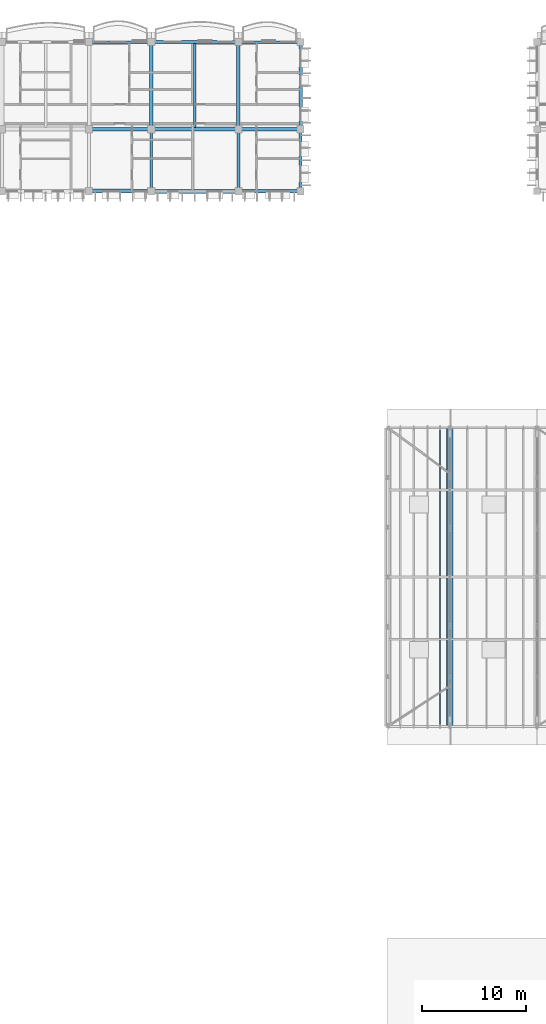
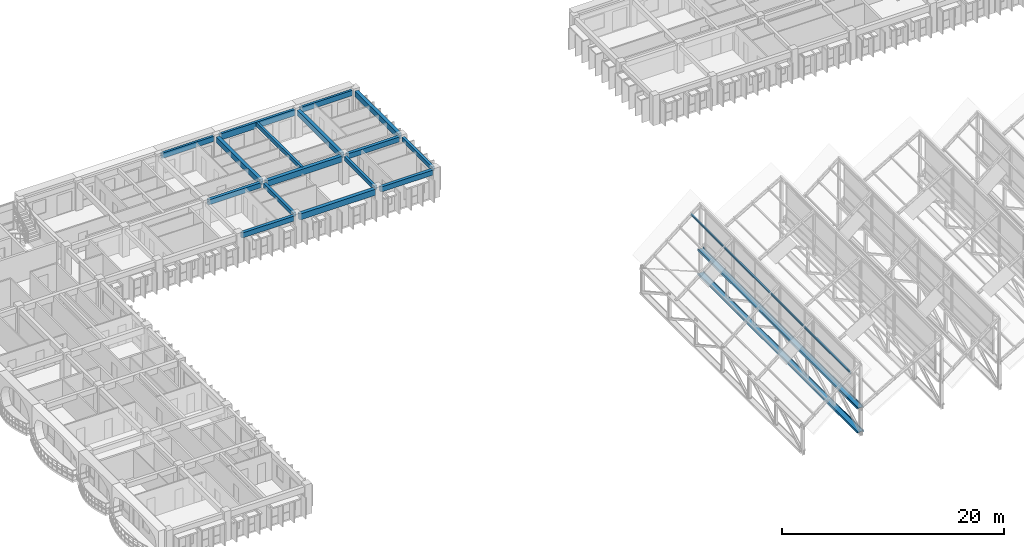
# One storey, part 23 of 101: 16 beams, 3 members.
"""IFC4 building model written with IfcOpenShell, lengths in metres."""

from ifc_helpers import new_model, si_unit, direction, frame, origin, origin_2d, place, context, subcontext, project, spatial, rectangle, i_section, extrude, material, material_profile, profile_set, type_object, element, save


model = new_model("IFC4")

# Units and contexts
model_context = context("Model", 3, precision=1e-05, world=origin(), true_north=direction((0.0, 1.0)))
body_context = subcontext(model_context, "Body", "Model", "MODEL_VIEW")
ifc_project = project(units=[si_unit("LENGTHUNIT", "METRE"), si_unit("AREAUNIT", "SQUARE_METRE"), si_unit("VOLUMEUNIT", "CUBIC_METRE"), si_unit("PLANEANGLEUNIT", "RADIAN"), si_unit("MASSUNIT", "GRAM", prefix="KILO"), si_unit("THERMODYNAMICTEMPERATUREUNIT", "KELVIN")], contexts=[model_context])

# Site, building, storey
site_placement = place(None, origin())
site = spatial("IfcSite", under=ifc_project, at=site_placement, CompositionType="ELEMENT")
building_placement = place(site_placement, origin())
building = spatial("IfcBuilding", under=site, at=building_placement, Name="Thalorik Housing Commons", CompositionType="ELEMENT")
storey_placement = place(building_placement, frame((0.0, 0.0, 8.10009765625)))
storey = spatial("IfcBuildingStorey", under=building, at=storey_placement, Name="L02", CompositionType="ELEMENT", Elevation=8.10009765625)

# Beams
ifc_material_1 = material(Name="Precast concrete C40/50", Category="concrete")
ifc_material_profile_1 = material_profile(ifc_material_1, rectangle(XDim=0.280029296875, YDim=0.449951171875, at=origin_2d()), Name="PC 280x450", Category="concrete")
ifc_profile_set_1 = profile_set([ifc_material_profile_1], Name="Precast concrete C40/50")
beam_type_1 = type_object("IfcBeamType", Name="STR-BM-PC280x450", PredefinedType="BEAM", material=ifc_profile_set_1)
for number, where, z_axis, x_axis, name in (
    (1, (43.199951171875, 109.5, 2.81494140625), (0.0, 1.0, 0.0), (-1.0, 0.0, 0.0), "L02 Beam B-450"),
    (2, (51.60009765625, 109.5, 2.81494140625), (0.0, 1.0, 0.0), (-1.0, 0.0, 0.0), "L02 Beam B-450"),
    (3, (57.60009765625, 109.5, 2.81494140625), (0.0, 1.0, 0.0), (-1.0, 0.0, 0.0), "L02 Beam B-450"),
):
    element("IfcBeam", number, at=place(storey_placement, frame(where, z_axis=z_axis, x_axis=x_axis)), inside=storey, type_object=beam_type_1, Name=name, PredefinedType="BEAM", context=body_context, shape_type="SweptSolid", body=[
        extrude(rectangle(XDim=0.280029296875, YDim=0.449951171875, at=origin_2d()), origin(), (0.0, 0.0, 1.0), 5.39990234375),
    ])
ifc_material_profile_2 = material_profile(ifc_material_1, rectangle(XDim=0.320068359375, YDim=0.550048828125, at=origin_2d()), Name="PC 320x550", Category="concrete")
ifc_profile_set_2 = profile_set([ifc_material_profile_2], Name="Precast concrete C40/50")
beam_type_2 = type_object("IfcBeamType", Name="STR-BM-PC320x550", PredefinedType="BEAM", material=ifc_profile_set_2)
beam_1_placement = place(storey_placement, frame((37.5, 109.199951171875, 2.764892578125), z_axis=(1.0, 0.0, 0.0), x_axis=(0.0, 1.0, 0.0)))
element("IfcBeam", 4, at=beam_1_placement, inside=storey, type_object=beam_type_2, Name="L02 Beam B-550", PredefinedType="BEAM", context=body_context, shape_type="SweptSolid", body=[
    extrude(rectangle(XDim=0.320068359375, YDim=0.550048828125, at=origin_2d()), origin(), (0.0, 0.0, 1.0), 5.39990234375),
])
beam_2_placement = place(storey_placement, frame((51.89990234375, 109.199951171875, 2.764892578125), z_axis=(1.0, 0.0, 0.0), x_axis=(0.0, 1.0, 0.0)))
element("IfcBeam", 5, at=beam_2_placement, inside=storey, type_object=beam_type_2, Name="L02 Beam B-550", PredefinedType="BEAM", context=body_context, shape_type="SweptSolid", body=[
    extrude(rectangle(XDim=0.320068359375, YDim=0.550048828125, at=origin_2d()), origin(), (0.0, 0.0, 1.0), 5.400146484375),
])
beam_3_placement = place(storey_placement, frame((37.5, 115.199951171875, 2.764892578125), z_axis=(1.0, 0.0, 0.0), x_axis=(0.0, 1.0, 0.0)))
element("IfcBeam", 6, at=beam_3_placement, inside=storey, type_object=beam_type_2, Name="L02 Beam B-550", PredefinedType="BEAM", context=body_context, shape_type="SweptSolid", body=[
    extrude(rectangle(XDim=0.320068359375, YDim=0.550048828125, at=origin_2d()), origin(), (0.0, 0.0, 1.0), 5.39990234375),
])
beam_4_placement = place(storey_placement, frame((51.89990234375, 115.199951171875, 2.764892578125), z_axis=(1.0, 0.0, 0.0), x_axis=(0.0, 1.0, 0.0)))
element("IfcBeam", 7, at=beam_4_placement, inside=storey, type_object=beam_type_2, Name="L02 Beam B-550", PredefinedType="BEAM", context=body_context, shape_type="SweptSolid", body=[
    extrude(rectangle(XDim=0.320068359375, YDim=0.550048828125, at=origin_2d()), origin(), (0.0, 0.0, 1.0), 5.400146484375),
])
ifc_material_profile_3 = material_profile(ifc_material_1, rectangle(XDim=0.35009765625, YDim=0.60009765625, at=origin_2d()), Name="PC 350x600", Category="concrete")
ifc_profile_set_3 = profile_set([ifc_material_profile_3], Name="Precast concrete C40/50")
beam_type_3 = type_object("IfcBeamType", Name="STR-BM-PC350x600", PredefinedType="BEAM", material=ifc_profile_set_3)
for number, where, z_axis, x_axis, name in (
    (8, (43.199951171875, 115.5, 2.739990234375), (0.0, 1.0, 0.0), (-1.0, 0.0, 0.0), "L02 Beam B-600"),
    (9, (51.60009765625, 115.5, 2.739990234375), (0.0, 1.0, 0.0), (-1.0, 0.0, 0.0), "L02 Beam B-600"),
    (10, (57.60009765625, 115.5, 2.739990234375), (0.0, 1.0, 0.0), (-1.0, 0.0, 0.0), "L02 Beam B-600"),
):
    element("IfcBeam", number, at=place(storey_placement, frame(where, z_axis=z_axis, x_axis=x_axis)), inside=storey, type_object=beam_type_3, Name=name, PredefinedType="BEAM", context=body_context, shape_type="SweptSolid", body=[
        extrude(rectangle(XDim=0.35009765625, YDim=0.60009765625, at=origin_2d()), origin(), (0.0, 0.0, 1.0), 7.800048828125),
    ])
ifc_material_profile_4 = material_profile(ifc_material_1, rectangle(XDim=0.3798828125, YDim=0.64990234375, at=origin_2d()), Name="PC 380x650", Category="concrete")
ifc_profile_set_4 = profile_set([ifc_material_profile_4], Name="Precast concrete C40/50")
beam_type_4 = type_object("IfcBeamType", Name="STR-BM-PC380x650", PredefinedType="BEAM", material=ifc_profile_set_4)
for number, where, z_axis, x_axis, name in (
    (11, (43.5, 109.199951171875, 2.71484375), (1.0, 0.0, 0.0), (0.0, 1.0, 0.0), "L02 Beam B-650"),
    (12, (43.5, 115.199951171875, 2.71484375), (1.0, 0.0, 0.0), (0.0, 1.0, 0.0), "L02 Beam B-650"),
):
    element("IfcBeam", number, at=place(storey_placement, frame(where, z_axis=z_axis, x_axis=x_axis)), inside=storey, type_object=beam_type_4, Name=name, PredefinedType="BEAM", context=body_context, shape_type="SweptSolid", body=[
        extrude(rectangle(XDim=0.3798828125, YDim=0.64990234375, at=origin_2d()), origin(), (0.0, 0.0, 1.0), 7.800048828125),
    ])
ifc_material_profile_5 = material_profile(ifc_material_1, rectangle(XDim=0.239990234375, YDim=0.43994140625, at=origin_2d()), Name="PC JST 240x440", Category="concrete")
ifc_profile_set_5 = profile_set([ifc_material_profile_5], Name="Precast concrete C40/50")
beam_type_5 = type_object("IfcBeamType", Name="STR-JST-PC240x440", PredefinedType="JOIST", material=ifc_profile_set_5)
beam_5_placement = place(storey_placement, frame((47.39990234375, 115.340087890625, 2.81982421875), z_axis=(0.0, 1.0, 0.0), x_axis=(-1.0, 0.0, 0.0)))
element("IfcBeam", 13, at=beam_5_placement, inside=storey, type_object=beam_type_5, Name="L02 Beam J-440", PredefinedType="JOIST", context=body_context, shape_type="SweptSolid", body=[
    extrude(rectangle(XDim=0.239990234375, YDim=0.43994140625, at=origin_2d()), origin(), (0.0, 0.0, 1.0), 8.119873046875),
])

# Members
ifc_material_2 = material(Name="Steel S355", Category="steel")
ifc_material_profile_6 = material_profile(ifc_material_2, i_section(OverallWidth=0.22998046875, OverallDepth=0.616943359375, WebThickness=0.01318359375, FlangeThickness=0.022216796875, FilletRadius=0.012939453125, at=origin_2d()), Name="W610x140", Category="steel")
ifc_profile_set_6 = profile_set([ifc_material_profile_6], Name="Steel S355")
member_type_1 = type_object("IfcMemberType", Name="STR-MEM-CHORD-BOT", PredefinedType="CHORD", material=ifc_profile_set_6)
member_1_placement = place(storey_placement, frame((72.0, 57.60009765625, 0.349853515625), z_axis=(0.0, 1.0, 0.0), x_axis=(0.0, 0.0, 1.0)))
element("IfcMember", 14, at=member_1_placement, inside=storey, type_object=member_type_1, Name="L02 Sawtooth Truss 2 Bottom Chord", PredefinedType="CHORD", context=body_context, shape_type="SweptSolid", body=[
    extrude(i_section(OverallWidth=0.22998046875, OverallDepth=0.616943359375, WebThickness=0.01318359375, FlangeThickness=0.022216796875, FilletRadius=0.012939453125, at=origin_2d()), origin(), (0.0, 0.0, 1.0), 28.7998046875),
])
ifc_material_profile_7 = material_profile(ifc_material_2, i_section(OverallWidth=0.22802734375, OverallDepth=0.60791015625, WebThickness=0.01123046875, FlangeThickness=0.017333984375, FilletRadius=0.012939453125, at=origin_2d()), Name="W610x113", Category="steel")
ifc_profile_set_7 = profile_set([ifc_material_profile_7], Name="Steel S355")
member_type_2 = type_object("IfcMemberType", Name="STR-MEM-CHORD-TOP", PredefinedType="CHORD", material=ifc_profile_set_7)
member_2_placement = place(storey_placement, frame((72.0, 57.60009765625, 3.0), z_axis=(0.0, 1.0, 0.0), x_axis=(0.0, 0.0, 1.0)))
element("IfcMember", 15, at=member_2_placement, inside=storey, type_object=member_type_2, Name="L02 Sawtooth Truss 2 Valley Chord", PredefinedType="CHORD", context=body_context, shape_type="SweptSolid", body=[
    extrude(i_section(OverallWidth=0.22802734375, OverallDepth=0.60791015625, WebThickness=0.01123046875, FlangeThickness=0.017333984375, FilletRadius=0.012939453125, at=origin_2d()), origin(), (0.0, 0.0, 1.0), 28.7998046875),
])
ifc_material_profile_8 = material_profile(ifc_material_2, i_section(OverallWidth=0.133056640625, OverallDepth=0.20703125, WebThickness=0.005859375, FlangeThickness=0.00830078125, FilletRadius=0.008056640625, at=origin_2d()), Name="W200x27", Category="steel")
ifc_profile_set_8 = profile_set([ifc_material_profile_8], Name="Steel S355")
member_type_3 = type_object("IfcMemberType", Name="STR-MEM-PUR-200", PredefinedType="PURLIN", material=ifc_profile_set_8)
member_3_placement = place(storey_placement, frame((71.0400390625, 57.60009765625, 7.114013671875), z_axis=(0.0, 1.0, 0.0), x_axis=(-1.0, 0.0, 0.0)))
element("IfcMember", 16, at=member_3_placement, inside=storey, type_object=member_type_3, Name="L02 Sawtooth Bay 1 Roof Purlin 4", PredefinedType="PURLIN", context=body_context, shape_type="SweptSolid", body=[
    extrude(i_section(OverallWidth=0.133056640625, OverallDepth=0.20703125, WebThickness=0.005859375, FlangeThickness=0.00830078125, FilletRadius=0.008056640625, at=origin_2d()), origin(), (0.0, 0.0, 1.0), 28.7998046875),
])

# Beams
ifc_material_profile_9 = material_profile(ifc_material_1, rectangle(XDim=0.239990234375, YDim=0.580078125, at=origin_2d()), Name="PC SP 240x580", Category="concrete")
ifc_profile_set_9 = profile_set([ifc_material_profile_9], Name="Precast concrete C40/50")
beam_type_6 = type_object("IfcBeamType", Name="STR-SP-PC240x580", PredefinedType="SPANDREL", material=ifc_profile_set_9)
beam_6_placement = place(storey_placement, frame((37.5, 123.60009765625, 2.75), z_axis=(1.0, 0.0, 0.0), x_axis=(0.0, 1.0, 0.0)))
element("IfcBeam", 17, at=beam_6_placement, inside=storey, type_object=beam_type_6, Name="L02 Beam B-550", PredefinedType="SPANDREL", context=body_context, shape_type="SweptSolid", body=[
    extrude(rectangle(XDim=0.239990234375, YDim=0.580078125, at=origin_2d()), origin(), (0.0, 0.0, 1.0), 5.39990234375),
])
beam_7_placement = place(storey_placement, frame((51.89990234375, 123.60009765625, 2.75), z_axis=(1.0, 0.0, 0.0), x_axis=(0.0, 1.0, 0.0)))
element("IfcBeam", 18, at=beam_7_placement, inside=storey, type_object=beam_type_6, Name="L02 Beam B-550", PredefinedType="SPANDREL", context=body_context, shape_type="SweptSolid", body=[
    extrude(rectangle(XDim=0.239990234375, YDim=0.580078125, at=origin_2d()), origin(), (0.0, 0.0, 1.0), 5.400146484375),
])
ifc_material_profile_10 = material_profile(ifc_material_1, rectangle(XDim=0.260009765625, YDim=0.679931640625, at=origin_2d()), Name="PC SP 260x680", Category="concrete")
ifc_profile_set_10 = profile_set([ifc_material_profile_10], Name="Precast concrete C40/50")
beam_type_7 = type_object("IfcBeamType", Name="STR-SP-PC260x680", PredefinedType="SPANDREL", material=ifc_profile_set_10)
beam_8_placement = place(storey_placement, frame((43.5, 123.60009765625, 2.699951171875), z_axis=(1.0, 0.0, 0.0), x_axis=(0.0, 1.0, 0.0)))
element("IfcBeam", 19, at=beam_8_placement, inside=storey, type_object=beam_type_7, Name="L02 Beam B-650", PredefinedType="SPANDREL", context=body_context, shape_type="SweptSolid", body=[
    extrude(rectangle(XDim=0.260009765625, YDim=0.679931640625, at=origin_2d()), origin(), (0.0, 0.0, 1.0), 7.800048828125),
])

save(model, "model.ifc")
